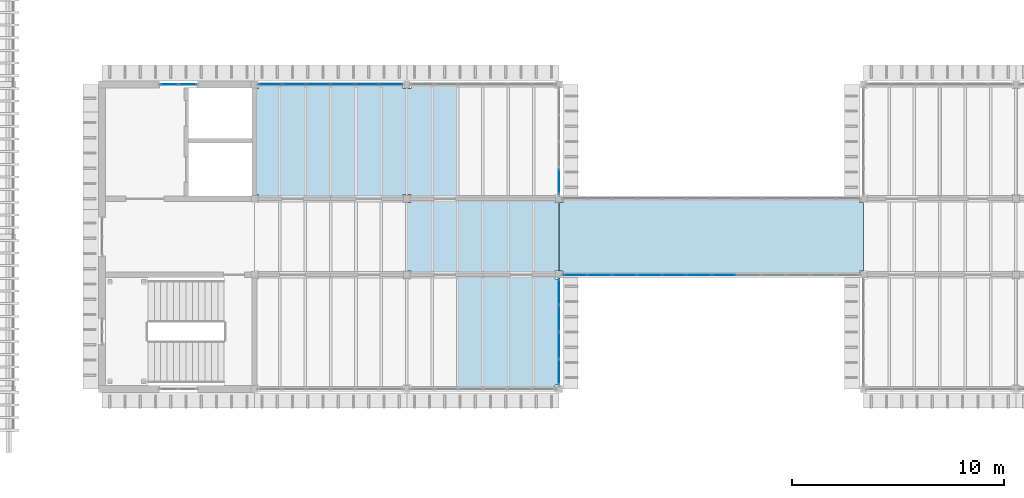
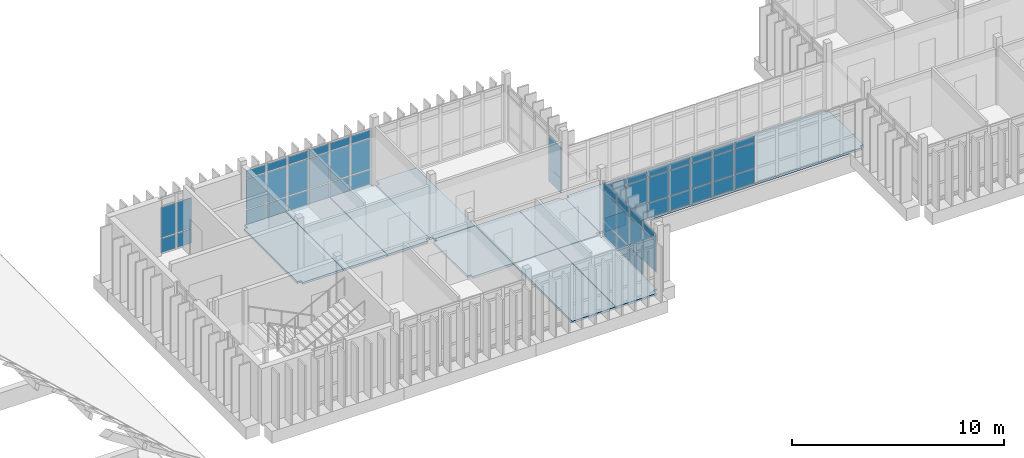
# One storey, part 32 of 71: 56 plates, 10 slabs, 5 elements without a shape of their own.
"""IFC4 building model written with IfcOpenShell, lengths in metres."""

from ifc_helpers import new_model, si_unit, direction, frame, origin, origin_2d, place, context, subcontext, project, spatial, polyline, rectangle, outline, extrude, material, layer, layer_set, type_object, element, aggregate, save


model = new_model("IFC4")

# Units and contexts
model_context = context("Model", 3, precision=1e-05, world=origin(), true_north=direction((0.0, 1.0)))
body_context = subcontext(model_context, "Body", "Model", "MODEL_VIEW")
ifc_project = project(units=[si_unit("LENGTHUNIT", "METRE"), si_unit("AREAUNIT", "SQUARE_METRE"), si_unit("VOLUMEUNIT", "CUBIC_METRE"), si_unit("PLANEANGLEUNIT", "RADIAN"), si_unit("MASSUNIT", "GRAM", prefix="KILO")], contexts=[model_context])

# Site, building, storey
site_placement = place(None, origin())
site = spatial("IfcSite", under=ifc_project, at=site_placement, CompositionType="ELEMENT")
building_placement = place(site_placement, origin())
building = spatial("IfcBuilding", under=site, at=building_placement, Name="Mazhai Court Health Centre", CompositionType="ELEMENT")
storey_placement = place(building_placement, frame((0.0, 0.0, 10.199951171875)))
storey = spatial("IfcBuildingStorey", under=building, at=storey_placement, Name="L02", CompositionType="ELEMENT", Elevation=10.199951171875)

# Slabs
ifc_material_1 = material(Name="CLT C24 5-ply", Category="wood")
ifc_layer_1 = layer(ifc_material_1, 0.1201171875)
ifc_layer_set_1 = layer_set([ifc_layer_1], Name="CLT C24 5-ply 120 floor panel")
slab_type = type_object("IfcSlabType", Name="CLT C24 5-ply 120 floor panel", PredefinedType="FLOOR", material=ifc_layer_set_1)
slab_1_placement = place(storey_placement, frame((0.0, 0.0, -0.119873046875)))
element("IfcSlab", 1, at=slab_1_placement, inside=storey, type_object=slab_type, Name="slab-V4-L02-b1-B0", PredefinedType="FLOOR", context=body_context, shape_type="SweptSolid", body=[
    extrude(outline(polyline([(80.590087890625, 27.919921875), (78.389892578125, 27.919921875), (78.389892578125, 27.610107421875), (78.199951171875, 27.610107421875), (78.199951171875, 22.590087890625), (78.389892578125, 22.590087890625), (78.389892578125, 22.409912109375), (80.590087890625, 22.409912109375), (80.590087890625, 27.919921875)])), origin(), (0.0, 0.0, 1.0), 0.119873046875),
])
slab_2_placement = place(storey_placement, frame((0.0, 0.0, -0.119873046875)))
element("IfcSlab", 2, at=slab_2_placement, inside=storey, type_object=slab_type, Name="slab-V4-L02-b1-B1", PredefinedType="FLOOR", context=body_context, shape_type="SweptSolid", body=[
    extrude(outline(polyline([(80.610107421875, 22.409912109375), (82.989990234375, 22.409912109375), (82.989990234375, 27.919921875), (80.610107421875, 27.919921875), (80.610107421875, 22.409912109375)])), origin(), (0.0, 0.0, 1.0), 0.119873046875),
])
slab_3_placement = place(storey_placement, frame((0.0, 0.0, -0.119873046875)))
element("IfcSlab", 3, at=slab_3_placement, inside=storey, type_object=slab_type, Name="slab-V4-L02-b1-B2", PredefinedType="FLOOR", context=body_context, shape_type="SweptSolid", body=[
    extrude(outline(polyline([(85.39990234375, 22.590087890625), (85.39990234375, 27.610107421875), (85.2099609375, 27.610107421875), (85.2099609375, 27.919921875), (83.010009765625, 27.919921875), (83.010009765625, 22.409912109375), (85.2099609375, 22.409912109375), (85.2099609375, 22.590087890625), (85.39990234375, 22.590087890625)])), origin(), (0.0, 0.0, 1.0), 0.119873046875),
])
slab_4_placement = place(storey_placement, frame((0.0, 0.0, -0.119873046875)))
element("IfcSlab", 4, at=slab_4_placement, inside=storey, type_object=slab_type, Name="slab-V4-L02-b2-A1", PredefinedType="FLOOR", context=body_context, shape_type="SweptSolid", body=[
    extrude(outline(polyline([(87.81005859375, 13.280029296875), (90.18994140625, 13.280029296875), (90.18994140625, 18.7900390625), (87.81005859375, 18.7900390625), (87.81005859375, 13.280029296875)])), origin(), (0.0, 0.0, 1.0), 0.119873046875),
])
slab_5_placement = place(storey_placement, frame((0.0, 0.0, -0.119873046875)))
element("IfcSlab", 5, at=slab_5_placement, inside=storey, type_object=slab_type, Name="slab-V4-L02-b2-A2", PredefinedType="FLOOR", context=body_context, shape_type="SweptSolid", body=[
    extrude(outline(polyline([(92.60009765625, 13.590087890625), (92.60009765625, 18.610107421875), (92.409912109375, 18.610107421875), (92.409912109375, 18.7900390625), (90.2099609375, 18.7900390625), (90.2099609375, 13.280029296875), (92.409912109375, 13.280029296875), (92.409912109375, 13.590087890625), (92.60009765625, 13.590087890625)])), origin(), (0.0, 0.0, 1.0), 0.119873046875),
])
slab_6_placement = place(storey_placement, frame((0.0, 0.0, -0.119873046875)))
element("IfcSlab", 6, at=slab_6_placement, inside=storey, type_object=slab_type, Name="slab-V4-L02-b2-C0", PredefinedType="FLOOR", context=body_context, shape_type="SweptSolid", body=[
    extrude(outline(polyline([(87.7900390625, 22.389892578125), (85.590087890625, 22.389892578125), (85.590087890625, 22.2099609375), (85.39990234375, 22.2099609375), (85.39990234375, 18.989990234375), (85.590087890625, 18.989990234375), (85.590087890625, 18.81005859375), (87.7900390625, 18.81005859375), (87.7900390625, 22.389892578125)])), origin(), (0.0, 0.0, 1.0), 0.119873046875),
])
slab_7_placement = place(storey_placement, frame((0.0, 0.0, -0.119873046875)))
element("IfcSlab", 7, at=slab_7_placement, inside=storey, type_object=slab_type, Name="slab-V4-L02-b2-C1", PredefinedType="FLOOR", context=body_context, shape_type="SweptSolid", body=[
    extrude(outline(polyline([(87.81005859375, 18.81005859375), (90.18994140625, 18.81005859375), (90.18994140625, 22.389892578125), (87.81005859375, 22.389892578125), (87.81005859375, 18.81005859375)])), origin(), (0.0, 0.0, 1.0), 0.119873046875),
])
slab_8_placement = place(storey_placement, frame((0.0, 0.0, -0.119873046875)))
element("IfcSlab", 8, at=slab_8_placement, inside=storey, type_object=slab_type, Name="slab-V4-L02-b2-C2", PredefinedType="FLOOR", context=body_context, shape_type="SweptSolid", body=[
    extrude(outline(polyline([(92.60009765625, 18.989990234375), (92.60009765625, 22.2099609375), (92.409912109375, 22.2099609375), (92.409912109375, 22.389892578125), (90.2099609375, 22.389892578125), (90.2099609375, 18.81005859375), (92.409912109375, 18.81005859375), (92.409912109375, 18.989990234375), (92.60009765625, 18.989990234375)])), origin(), (0.0, 0.0, 1.0), 0.119873046875),
])
slab_9_placement = place(storey_placement, frame((0.0, 0.0, -0.119873046875)))
element("IfcSlab", 9, at=slab_9_placement, inside=storey, type_object=slab_type, Name="slab-V4-L02-b2-B0", PredefinedType="FLOOR", context=body_context, shape_type="SweptSolid", body=[
    extrude(outline(polyline([(87.7900390625, 27.919921875), (85.590087890625, 27.919921875), (85.590087890625, 27.610107421875), (85.39990234375, 27.610107421875), (85.39990234375, 22.590087890625), (85.590087890625, 22.590087890625), (85.590087890625, 22.409912109375), (87.7900390625, 22.409912109375), (87.7900390625, 27.919921875)])), origin(), (0.0, 0.0, 1.0), 0.119873046875),
])
slab_10_placement = place(storey_placement, frame((0.0, 0.0, -0.119873046875)))
element("IfcSlab", 10, at=slab_10_placement, inside=storey, type_object=slab_type, Name="slab-BR-LC2", PredefinedType="FLOOR", context=body_context, shape_type="SweptSolid", body=[
    extrude(outline(polyline([(106.989990234375, 18.989990234375), (106.989990234375, 22.2099609375), (106.81005859375, 22.2099609375), (106.81005859375, 22.3798828125), (92.7900390625, 22.3798828125), (92.7900390625, 22.2099609375), (92.610107421875, 22.2099609375), (92.610107421875, 18.989990234375), (92.7900390625, 18.989990234375), (92.7900390625, 18.820068359375), (106.81005859375, 18.820068359375), (106.81005859375, 18.989990234375), (106.989990234375, 18.989990234375)])), origin(), (0.0, 0.0, 1.0), 0.119873046875),
])

# Curtain wall, plates
ifc_material_2 = material(Name="Teak timber frame, glazed", Category="wood")
ifc_layer_2 = layer(ifc_material_2, 0.10009765625)
ifc_layer_set_2 = layer_set([ifc_layer_2], Name="CURTAIN WALL TIMBER 900")
curtain_wall_type_1 = type_object("IfcCurtainWallType", Name="CURTAIN WALL TIMBER 900", PredefinedType="NOTDEFINED", material=ifc_layer_set_2)
curtain_wall_1_placement = place(storey_placement, origin())
curtain_wall_1 = element("IfcCurtainWall", 11, at=curtain_wall_1_placement, inside=storey, type_object=curtain_wall_type_1, Name="CW-V4-L02-B0", PredefinedType="NOTDEFINED")
ifc_material_3 = material(Name="Glass IGU 28 mm", Category="glass")
ifc_layer_3 = layer(ifc_material_3, 0.028076171875)
ifc_layer_set_3 = layer_set([ifc_layer_3], Name="CW PANEL IGU 28")
plate_type = type_object("IfcPlateType", Name="CW PANEL IGU 28", PredefinedType="CURTAIN_PANEL", material=ifc_layer_set_3)
plate_1_placement = place(storey_placement, frame((74.1650390625, 27.800048828125, 0.06005859375), z_axis=(0.0, 0.0, 1.0), x_axis=(1.0, 0.0, 0.0)))
plate_1 = element("IfcPlate", 12, at=plate_1_placement, type_object=plate_type, Name="CW panel 1.1", PredefinedType="CURTAIN_PANEL", context=body_context, shape_type="SweptSolid", body=[
    extrude(rectangle(XDim=0.81005859375, YDim=0.028076171875, at=origin_2d()), origin(), (0.0, 0.0, 1.0), 0.81005859375),
])
plate_2_placement = place(storey_placement, frame((74.1650390625, 27.800048828125, 0.93017578125), z_axis=(0.0, 0.0, 1.0), x_axis=(1.0, 0.0, 0.0)))
plate_2 = element("IfcPlate", 13, at=plate_2_placement, type_object=plate_type, Name="CW panel 1.2", PredefinedType="CURTAIN_PANEL", context=body_context, shape_type="SweptSolid", body=[
    extrude(rectangle(XDim=0.81005859375, YDim=0.028076171875, at=origin_2d()), origin(), (0.0, 0.0, 1.0), 1.739990234375),
])
plate_3_placement = place(storey_placement, frame((75.034912109375, 27.800048828125, 0.06005859375), z_axis=(0.0, 0.0, 1.0), x_axis=(1.0, 0.0, 0.0)))
plate_3 = element("IfcPlate", 14, at=plate_3_placement, type_object=plate_type, Name="CW panel 2.1", PredefinedType="CURTAIN_PANEL", context=body_context, shape_type="SweptSolid", body=[
    extrude(rectangle(XDim=0.81005859375, YDim=0.028076171875, at=origin_2d()), origin(), (0.0, 0.0, 1.0), 0.81005859375),
])
plate_4_placement = place(storey_placement, frame((75.034912109375, 27.800048828125, 0.93017578125), z_axis=(0.0, 0.0, 1.0), x_axis=(1.0, 0.0, 0.0)))
plate_4 = element("IfcPlate", 15, at=plate_4_placement, type_object=plate_type, Name="CW panel 2.2", PredefinedType="CURTAIN_PANEL", context=body_context, shape_type="SweptSolid", body=[
    extrude(rectangle(XDim=0.81005859375, YDim=0.028076171875, at=origin_2d()), origin(), (0.0, 0.0, 1.0), 1.739990234375),
])
aggregate(curtain_wall_1, [plate_1, plate_2, plate_3, plate_4])

ifc_material_4 = material(Name="Teak timber frame, glazed", Category="wood")
ifc_layer_4 = layer(ifc_material_4, 0.10009765625)
ifc_layer_set_4 = layer_set([ifc_layer_4], Name="CURTAIN WALL TIMBER 1200")
curtain_wall_type_2 = type_object("IfcCurtainWallType", Name="CURTAIN WALL TIMBER 1200", PredefinedType="NOTDEFINED", material=ifc_layer_set_4)
curtain_wall_2_placement = place(storey_placement, origin())
curtain_wall_2 = element("IfcCurtainWall", 16, at=curtain_wall_2_placement, inside=storey, type_object=curtain_wall_type_2, Name="CW-V4-L02-B1", PredefinedType="NOTDEFINED")
plate_5_placement = place(storey_placement, frame((78.9482421875, 27.800048828125, 0.06005859375), z_axis=(0.0, 0.0, 1.0), x_axis=(1.0, 0.0, 0.0)))
plate_5 = element("IfcPlate", 17, at=plate_5_placement, type_object=plate_type, Name="CW panel 1.1", PredefinedType="CURTAIN_PANEL", context=body_context, shape_type="SweptSolid", body=[
    extrude(rectangle(XDim=1.056640625, YDim=0.028076171875, at=origin_2d()), origin(), (0.0, 0.0, 1.0), 0.81005859375),
])
plate_6_placement = place(storey_placement, frame((78.9482421875, 27.800048828125, 0.93017578125), z_axis=(0.0, 0.0, 1.0), x_axis=(1.0, 0.0, 0.0)))
plate_6 = element("IfcPlate", 18, at=plate_6_placement, type_object=plate_type, Name="CW panel 1.2", PredefinedType="CURTAIN_PANEL", context=body_context, shape_type="SweptSolid", body=[
    extrude(rectangle(XDim=1.056640625, YDim=0.028076171875, at=origin_2d()), origin(), (0.0, 0.0, 1.0), 1.739990234375),
])
plate_7_placement = place(storey_placement, frame((78.9482421875, 27.800048828125, 2.72998046875), z_axis=(0.0, 0.0, 1.0), x_axis=(1.0, 0.0, 0.0)))
plate_7 = element("IfcPlate", 19, at=plate_7_placement, type_object=plate_type, Name="CW panel 1.3", PredefinedType="CURTAIN_PANEL", context=body_context, shape_type="SweptSolid", body=[
    extrude(rectangle(XDim=1.056640625, YDim=0.028076171875, at=origin_2d()), origin(), (0.0, 0.0, 1.0), 0.429931640625),
])
plate_8_placement = place(storey_placement, frame((80.080078125, 27.800048828125, 0.06005859375), z_axis=(0.0, 0.0, 1.0), x_axis=(1.0, 0.0, 0.0)))
plate_8 = element("IfcPlate", 20, at=plate_8_placement, type_object=plate_type, Name="CW panel 2.1", PredefinedType="CURTAIN_PANEL", context=body_context, shape_type="SweptSolid", body=[
    extrude(rectangle(XDim=1.086669921875, YDim=0.028076171875, at=origin_2d()), origin(), (0.0, 0.0, 1.0), 0.81005859375),
])
plate_9_placement = place(storey_placement, frame((80.080078125, 27.800048828125, 0.93017578125), z_axis=(0.0, 0.0, 1.0), x_axis=(1.0, 0.0, 0.0)))
plate_9 = element("IfcPlate", 21, at=plate_9_placement, type_object=plate_type, Name="CW panel 2.2", PredefinedType="CURTAIN_PANEL", context=body_context, shape_type="SweptSolid", body=[
    extrude(rectangle(XDim=1.086669921875, YDim=0.028076171875, at=origin_2d()), origin(), (0.0, 0.0, 1.0), 1.739990234375),
])
plate_10_placement = place(storey_placement, frame((80.080078125, 27.800048828125, 2.72998046875), z_axis=(0.0, 0.0, 1.0), x_axis=(1.0, 0.0, 0.0)))
plate_10 = element("IfcPlate", 22, at=plate_10_placement, type_object=plate_type, Name="CW panel 2.3", PredefinedType="CURTAIN_PANEL", context=body_context, shape_type="SweptSolid", body=[
    extrude(rectangle(XDim=1.086669921875, YDim=0.028076171875, at=origin_2d()), origin(), (0.0, 0.0, 1.0), 0.429931640625),
])
plate_11_placement = place(storey_placement, frame((81.2265625, 27.800048828125, 0.06005859375), z_axis=(0.0, 0.0, 1.0), x_axis=(1.0, 0.0, 0.0)))
plate_11 = element("IfcPlate", 23, at=plate_11_placement, type_object=plate_type, Name="CW panel 3.1", PredefinedType="CURTAIN_PANEL", context=body_context, shape_type="SweptSolid", body=[
    extrude(rectangle(XDim=1.086669921875, YDim=0.028076171875, at=origin_2d()), origin(), (0.0, 0.0, 1.0), 0.81005859375),
])
plate_12_placement = place(storey_placement, frame((81.2265625, 27.800048828125, 0.93017578125), z_axis=(0.0, 0.0, 1.0), x_axis=(1.0, 0.0, 0.0)))
plate_12 = element("IfcPlate", 24, at=plate_12_placement, type_object=plate_type, Name="CW panel 3.2", PredefinedType="CURTAIN_PANEL", context=body_context, shape_type="SweptSolid", body=[
    extrude(rectangle(XDim=1.086669921875, YDim=0.028076171875, at=origin_2d()), origin(), (0.0, 0.0, 1.0), 1.739990234375),
])
plate_13_placement = place(storey_placement, frame((81.2265625, 27.800048828125, 2.72998046875), z_axis=(0.0, 0.0, 1.0), x_axis=(1.0, 0.0, 0.0)))
plate_13 = element("IfcPlate", 25, at=plate_13_placement, type_object=plate_type, Name="CW panel 3.3", PredefinedType="CURTAIN_PANEL", context=body_context, shape_type="SweptSolid", body=[
    extrude(rectangle(XDim=1.086669921875, YDim=0.028076171875, at=origin_2d()), origin(), (0.0, 0.0, 1.0), 0.429931640625),
])
plate_14_placement = place(storey_placement, frame((82.373291015625, 27.800048828125, 0.06005859375), z_axis=(0.0, 0.0, 1.0), x_axis=(1.0, 0.0, 0.0)))
plate_14 = element("IfcPlate", 26, at=plate_14_placement, type_object=plate_type, Name="CW panel 4.1", PredefinedType="CURTAIN_PANEL", context=body_context, shape_type="SweptSolid", body=[
    extrude(rectangle(XDim=1.086669921875, YDim=0.028076171875, at=origin_2d()), origin(), (0.0, 0.0, 1.0), 0.81005859375),
])
plate_15_placement = place(storey_placement, frame((82.373291015625, 27.800048828125, 0.93017578125), z_axis=(0.0, 0.0, 1.0), x_axis=(1.0, 0.0, 0.0)))
plate_15 = element("IfcPlate", 27, at=plate_15_placement, type_object=plate_type, Name="CW panel 4.2", PredefinedType="CURTAIN_PANEL", context=body_context, shape_type="SweptSolid", body=[
    extrude(rectangle(XDim=1.086669921875, YDim=0.028076171875, at=origin_2d()), origin(), (0.0, 0.0, 1.0), 1.739990234375),
])
plate_16_placement = place(storey_placement, frame((82.373291015625, 27.800048828125, 2.72998046875), z_axis=(0.0, 0.0, 1.0), x_axis=(1.0, 0.0, 0.0)))
plate_16 = element("IfcPlate", 28, at=plate_16_placement, type_object=plate_type, Name="CW panel 4.3", PredefinedType="CURTAIN_PANEL", context=body_context, shape_type="SweptSolid", body=[
    extrude(rectangle(XDim=1.086669921875, YDim=0.028076171875, at=origin_2d()), origin(), (0.0, 0.0, 1.0), 0.429931640625),
])
plate_17_placement = place(storey_placement, frame((83.52001953125, 27.800048828125, 0.06005859375), z_axis=(0.0, 0.0, 1.0), x_axis=(1.0, 0.0, 0.0)))
plate_17 = element("IfcPlate", 29, at=plate_17_placement, type_object=plate_type, Name="CW panel 5.1", PredefinedType="CURTAIN_PANEL", context=body_context, shape_type="SweptSolid", body=[
    extrude(rectangle(XDim=1.086669921875, YDim=0.028076171875, at=origin_2d()), origin(), (0.0, 0.0, 1.0), 0.81005859375),
])
plate_18_placement = place(storey_placement, frame((83.52001953125, 27.800048828125, 0.93017578125), z_axis=(0.0, 0.0, 1.0), x_axis=(1.0, 0.0, 0.0)))
plate_18 = element("IfcPlate", 30, at=plate_18_placement, type_object=plate_type, Name="CW panel 5.2", PredefinedType="CURTAIN_PANEL", context=body_context, shape_type="SweptSolid", body=[
    extrude(rectangle(XDim=1.086669921875, YDim=0.028076171875, at=origin_2d()), origin(), (0.0, 0.0, 1.0), 1.739990234375),
])
plate_19_placement = place(storey_placement, frame((83.52001953125, 27.800048828125, 2.72998046875), z_axis=(0.0, 0.0, 1.0), x_axis=(1.0, 0.0, 0.0)))
plate_19 = element("IfcPlate", 31, at=plate_19_placement, type_object=plate_type, Name="CW panel 5.3", PredefinedType="CURTAIN_PANEL", context=body_context, shape_type="SweptSolid", body=[
    extrude(rectangle(XDim=1.086669921875, YDim=0.028076171875, at=origin_2d()), origin(), (0.0, 0.0, 1.0), 0.429931640625),
])
plate_20_placement = place(storey_placement, frame((84.651611328125, 27.800048828125, 0.06005859375), z_axis=(0.0, 0.0, 1.0), x_axis=(1.0, 0.0, 0.0)))
plate_20 = element("IfcPlate", 32, at=plate_20_placement, type_object=plate_type, Name="CW panel 6.1", PredefinedType="CURTAIN_PANEL", context=body_context, shape_type="SweptSolid", body=[
    extrude(rectangle(XDim=1.056640625, YDim=0.028076171875, at=origin_2d()), origin(), (0.0, 0.0, 1.0), 0.81005859375),
])
plate_21_placement = place(storey_placement, frame((84.651611328125, 27.800048828125, 0.93017578125), z_axis=(0.0, 0.0, 1.0), x_axis=(1.0, 0.0, 0.0)))
plate_21 = element("IfcPlate", 33, at=plate_21_placement, type_object=plate_type, Name="CW panel 6.2", PredefinedType="CURTAIN_PANEL", context=body_context, shape_type="SweptSolid", body=[
    extrude(rectangle(XDim=1.056640625, YDim=0.028076171875, at=origin_2d()), origin(), (0.0, 0.0, 1.0), 1.739990234375),
])
plate_22_placement = place(storey_placement, frame((84.651611328125, 27.800048828125, 2.72998046875), z_axis=(0.0, 0.0, 1.0), x_axis=(1.0, 0.0, 0.0)))
plate_22 = element("IfcPlate", 34, at=plate_22_placement, type_object=plate_type, Name="CW panel 6.3", PredefinedType="CURTAIN_PANEL", context=body_context, shape_type="SweptSolid", body=[
    extrude(rectangle(XDim=1.056640625, YDim=0.028076171875, at=origin_2d()), origin(), (0.0, 0.0, 1.0), 0.429931640625),
])
aggregate(curtain_wall_2, [plate_5, plate_6, plate_7, plate_8, plate_9, plate_10, plate_11, plate_12, plate_13, plate_14, plate_15, plate_16, plate_17, plate_18, plate_19, plate_20, plate_21, plate_22])

curtain_wall_3_placement = place(storey_placement, origin())
curtain_wall_3 = element("IfcCurtainWall", 35, at=curtain_wall_3_placement, inside=storey, type_object=curtain_wall_type_2, Name="CW-V4-L02-CE2-0", PredefinedType="NOTDEFINED")
plate_23_placement = place(storey_placement, frame((92.60009765625, 17.989990234375, 0.06005859375), z_axis=(0.0, 0.0, 1.0), x_axis=(0.0, -1.0, 0.0)))
plate_23 = element("IfcPlate", 36, at=plate_23_placement, type_object=plate_type, Name="CW panel 1.1", PredefinedType="CURTAIN_PANEL", context=body_context, shape_type="SweptSolid", body=[
    extrude(rectangle(XDim=1.179931640625, YDim=0.028076171875, at=origin_2d()), origin(), (0.0, 0.0, 1.0), 0.81005859375),
])
plate_24_placement = place(storey_placement, frame((92.60009765625, 17.989990234375, 0.93017578125), z_axis=(0.0, 0.0, 1.0), x_axis=(0.0, -1.0, 0.0)))
plate_24 = element("IfcPlate", 37, at=plate_24_placement, type_object=plate_type, Name="CW panel 1.2", PredefinedType="CURTAIN_PANEL", context=body_context, shape_type="SweptSolid", body=[
    extrude(rectangle(XDim=1.179931640625, YDim=0.028076171875, at=origin_2d()), origin(), (0.0, 0.0, 1.0), 1.739990234375),
])
plate_25_placement = place(storey_placement, frame((92.60009765625, 17.989990234375, 2.72998046875), z_axis=(0.0, 0.0, 1.0), x_axis=(0.0, -1.0, 0.0)))
plate_25 = element("IfcPlate", 38, at=plate_25_placement, type_object=plate_type, Name="CW panel 1.3", PredefinedType="CURTAIN_PANEL", context=body_context, shape_type="SweptSolid", body=[
    extrude(rectangle(XDim=1.179931640625, YDim=0.028076171875, at=origin_2d()), origin(), (0.0, 0.0, 1.0), 0.409912109375),
])
plate_26_placement = place(storey_placement, frame((92.60009765625, 16.735107421875, 0.06005859375), z_axis=(0.0, 0.0, 1.0), x_axis=(0.0, -1.0, 0.0)))
plate_26 = element("IfcPlate", 39, at=plate_26_placement, type_object=plate_type, Name="CW panel 2.1", PredefinedType="CURTAIN_PANEL", context=body_context, shape_type="SweptSolid", body=[
    extrude(rectangle(XDim=1.2099609375, YDim=0.028076171875, at=origin_2d()), origin(), (0.0, 0.0, 1.0), 0.81005859375),
])
plate_27_placement = place(storey_placement, frame((92.60009765625, 16.735107421875, 0.93017578125), z_axis=(0.0, 0.0, 1.0), x_axis=(0.0, -1.0, 0.0)))
plate_27 = element("IfcPlate", 40, at=plate_27_placement, type_object=plate_type, Name="CW panel 2.2", PredefinedType="CURTAIN_PANEL", context=body_context, shape_type="SweptSolid", body=[
    extrude(rectangle(XDim=1.2099609375, YDim=0.028076171875, at=origin_2d()), origin(), (0.0, 0.0, 1.0), 1.739990234375),
])
plate_28_placement = place(storey_placement, frame((92.60009765625, 16.735107421875, 2.72998046875), z_axis=(0.0, 0.0, 1.0), x_axis=(0.0, -1.0, 0.0)))
plate_28 = element("IfcPlate", 41, at=plate_28_placement, type_object=plate_type, Name="CW panel 2.3", PredefinedType="CURTAIN_PANEL", context=body_context, shape_type="SweptSolid", body=[
    extrude(rectangle(XDim=1.2099609375, YDim=0.028076171875, at=origin_2d()), origin(), (0.0, 0.0, 1.0), 0.409912109375),
])
plate_29_placement = place(storey_placement, frame((92.60009765625, 15.465087890625, 0.06005859375), z_axis=(0.0, 0.0, 1.0), x_axis=(0.0, -1.0, 0.0)))
plate_29 = element("IfcPlate", 42, at=plate_29_placement, type_object=plate_type, Name="CW panel 3.1", PredefinedType="CURTAIN_PANEL", context=body_context, shape_type="SweptSolid", body=[
    extrude(rectangle(XDim=1.2099609375, YDim=0.028076171875, at=origin_2d()), origin(), (0.0, 0.0, 1.0), 0.81005859375),
])
plate_30_placement = place(storey_placement, frame((92.60009765625, 15.465087890625, 0.93017578125), z_axis=(0.0, 0.0, 1.0), x_axis=(0.0, -1.0, 0.0)))
plate_30 = element("IfcPlate", 43, at=plate_30_placement, type_object=plate_type, Name="CW panel 3.2", PredefinedType="CURTAIN_PANEL", context=body_context, shape_type="SweptSolid", body=[
    extrude(rectangle(XDim=1.2099609375, YDim=0.028076171875, at=origin_2d()), origin(), (0.0, 0.0, 1.0), 1.739990234375),
])
plate_31_placement = place(storey_placement, frame((92.60009765625, 15.465087890625, 2.72998046875), z_axis=(0.0, 0.0, 1.0), x_axis=(0.0, -1.0, 0.0)))
plate_31 = element("IfcPlate", 44, at=plate_31_placement, type_object=plate_type, Name="CW panel 3.3", PredefinedType="CURTAIN_PANEL", context=body_context, shape_type="SweptSolid", body=[
    extrude(rectangle(XDim=1.2099609375, YDim=0.028076171875, at=origin_2d()), origin(), (0.0, 0.0, 1.0), 0.409912109375),
])
plate_32_placement = place(storey_placement, frame((92.60009765625, 14.2099609375, 0.93017578125), z_axis=(0.0, 0.0, 1.0), x_axis=(0.0, -1.0, 0.0)))
plate_32 = element("IfcPlate", 45, at=plate_32_placement, type_object=plate_type, Name="CW panel 4.2", PredefinedType="CURTAIN_PANEL", context=body_context, shape_type="SweptSolid", body=[
    extrude(rectangle(XDim=1.179931640625, YDim=0.028076171875, at=origin_2d()), origin(), (0.0, 0.0, 1.0), 1.739990234375),
])
plate_33_placement = place(storey_placement, frame((92.60009765625, 14.2099609375, 2.72998046875), z_axis=(0.0, 0.0, 1.0), x_axis=(0.0, -1.0, 0.0)))
plate_33 = element("IfcPlate", 46, at=plate_33_placement, type_object=plate_type, Name="CW panel 4.3", PredefinedType="CURTAIN_PANEL", context=body_context, shape_type="SweptSolid", body=[
    extrude(rectangle(XDim=1.179931640625, YDim=0.028076171875, at=origin_2d()), origin(), (0.0, 0.0, 1.0), 0.409912109375),
])
aggregate(curtain_wall_3, [plate_23, plate_24, plate_25, plate_26, plate_27, plate_28, plate_29, plate_30, plate_31, plate_32, plate_33])

curtain_wall_4_placement = place(storey_placement, origin())
curtain_wall_4 = element("IfcCurtainWall", 47, at=curtain_wall_4_placement, inside=storey, type_object=curtain_wall_type_2, Name="CW-V4-L02-CE2-1", PredefinedType="NOTDEFINED")
plate_34_placement = place(storey_placement, frame((92.60009765625, 23.2099609375, 0.06005859375), z_axis=(0.0, 0.0, 1.0), x_axis=(0.0, -1.0, 0.0)))
plate_34 = element("IfcPlate", 48, at=plate_34_placement, type_object=plate_type, Name="CW panel 4.1", PredefinedType="CURTAIN_PANEL", context=body_context, shape_type="SweptSolid", body=[
    extrude(rectangle(XDim=1.179931640625, YDim=0.028076171875, at=origin_2d()), origin(), (0.0, 0.0, 1.0), 0.81005859375),
])
plate_35_placement = place(storey_placement, frame((92.60009765625, 23.2099609375, 0.93017578125), z_axis=(0.0, 0.0, 1.0), x_axis=(0.0, -1.0, 0.0)))
plate_35 = element("IfcPlate", 49, at=plate_35_placement, type_object=plate_type, Name="CW panel 4.2", PredefinedType="CURTAIN_PANEL", context=body_context, shape_type="SweptSolid", body=[
    extrude(rectangle(XDim=1.179931640625, YDim=0.028076171875, at=origin_2d()), origin(), (0.0, 0.0, 1.0), 1.739990234375),
])
aggregate(curtain_wall_4, [plate_34, plate_35])

curtain_wall_5_placement = place(storey_placement, origin())
curtain_wall_5 = element("IfcCurtainWall", 50, at=curtain_wall_5_placement, inside=storey, type_object=curtain_wall_type_2, Name="CW-BR-LC2-S", PredefinedType="NOTDEFINED")
plate_36_placement = place(storey_placement, frame((93.361572265625, 18.800048828125, 0.06005859375), z_axis=(0.0, 0.0, 1.0), x_axis=(1.0, 0.0, 0.0)))
plate_36 = element("IfcPlate", 51, at=plate_36_placement, type_object=plate_type, Name="CW panel 1.1", PredefinedType="CURTAIN_PANEL", context=body_context, shape_type="SweptSolid", body=[
    extrude(rectangle(XDim=1.083251953125, YDim=0.028076171875, at=origin_2d()), origin(), (0.0, 0.0, 1.0), 0.81005859375),
])
plate_37_placement = place(storey_placement, frame((93.361572265625, 18.800048828125, 0.93017578125), z_axis=(0.0, 0.0, 1.0), x_axis=(1.0, 0.0, 0.0)))
plate_37 = element("IfcPlate", 52, at=plate_37_placement, type_object=plate_type, Name="CW panel 1.2", PredefinedType="CURTAIN_PANEL", context=body_context, shape_type="SweptSolid", body=[
    extrude(rectangle(XDim=1.083251953125, YDim=0.028076171875, at=origin_2d()), origin(), (0.0, 0.0, 1.0), 1.419921875),
])
plate_38_placement = place(storey_placement, frame((93.361572265625, 18.800048828125, 2.409912109375), z_axis=(0.0, 0.0, 1.0), x_axis=(1.0, 0.0, 0.0)))
plate_38 = element("IfcPlate", 53, at=plate_38_placement, type_object=plate_type, Name="CW panel 1.3", PredefinedType="CURTAIN_PANEL", context=body_context, shape_type="SweptSolid", body=[
    extrude(rectangle(XDim=1.083251953125, YDim=0.028076171875, at=origin_2d()), origin(), (0.0, 0.0, 1.0), 0.31005859375),
])
plate_39_placement = place(storey_placement, frame((94.52001953125, 18.800048828125, 0.06005859375), z_axis=(0.0, 0.0, 1.0), x_axis=(1.0, 0.0, 0.0)))
plate_39 = element("IfcPlate", 54, at=plate_39_placement, type_object=plate_type, Name="CW panel 2.1", PredefinedType="CURTAIN_PANEL", context=body_context, shape_type="SweptSolid", body=[
    extrude(rectangle(XDim=1.11328125, YDim=0.028076171875, at=origin_2d()), origin(), (0.0, 0.0, 1.0), 0.81005859375),
])
plate_40_placement = place(storey_placement, frame((94.52001953125, 18.800048828125, 0.93017578125), z_axis=(0.0, 0.0, 1.0), x_axis=(1.0, 0.0, 0.0)))
plate_40 = element("IfcPlate", 55, at=plate_40_placement, type_object=plate_type, Name="CW panel 2.2", PredefinedType="CURTAIN_PANEL", context=body_context, shape_type="SweptSolid", body=[
    extrude(rectangle(XDim=1.11328125, YDim=0.028076171875, at=origin_2d()), origin(), (0.0, 0.0, 1.0), 1.419921875),
])
plate_41_placement = place(storey_placement, frame((94.52001953125, 18.800048828125, 2.409912109375), z_axis=(0.0, 0.0, 1.0), x_axis=(1.0, 0.0, 0.0)))
plate_41 = element("IfcPlate", 56, at=plate_41_placement, type_object=plate_type, Name="CW panel 2.3", PredefinedType="CURTAIN_PANEL", context=body_context, shape_type="SweptSolid", body=[
    extrude(rectangle(XDim=1.11328125, YDim=0.028076171875, at=origin_2d()), origin(), (0.0, 0.0, 1.0), 0.31005859375),
])
plate_42_placement = place(storey_placement, frame((95.693359375, 18.800048828125, 0.06005859375), z_axis=(0.0, 0.0, 1.0), x_axis=(1.0, 0.0, 0.0)))
plate_42 = element("IfcPlate", 57, at=plate_42_placement, type_object=plate_type, Name="CW panel 3.1", PredefinedType="CURTAIN_PANEL", context=body_context, shape_type="SweptSolid", body=[
    extrude(rectangle(XDim=1.11328125, YDim=0.028076171875, at=origin_2d()), origin(), (0.0, 0.0, 1.0), 0.81005859375),
])
plate_43_placement = place(storey_placement, frame((95.693359375, 18.800048828125, 0.93017578125), z_axis=(0.0, 0.0, 1.0), x_axis=(1.0, 0.0, 0.0)))
plate_43 = element("IfcPlate", 58, at=plate_43_placement, type_object=plate_type, Name="CW panel 3.2", PredefinedType="CURTAIN_PANEL", context=body_context, shape_type="SweptSolid", body=[
    extrude(rectangle(XDim=1.11328125, YDim=0.028076171875, at=origin_2d()), origin(), (0.0, 0.0, 1.0), 1.419921875),
])
plate_44_placement = place(storey_placement, frame((95.693359375, 18.800048828125, 2.409912109375), z_axis=(0.0, 0.0, 1.0), x_axis=(1.0, 0.0, 0.0)))
plate_44 = element("IfcPlate", 59, at=plate_44_placement, type_object=plate_type, Name="CW panel 3.3", PredefinedType="CURTAIN_PANEL", context=body_context, shape_type="SweptSolid", body=[
    extrude(rectangle(XDim=1.11328125, YDim=0.028076171875, at=origin_2d()), origin(), (0.0, 0.0, 1.0), 0.31005859375),
])
plate_45_placement = place(storey_placement, frame((96.86669921875, 18.800048828125, 0.06005859375), z_axis=(0.0, 0.0, 1.0), x_axis=(1.0, 0.0, 0.0)))
plate_45 = element("IfcPlate", 60, at=plate_45_placement, type_object=plate_type, Name="CW panel 4.1", PredefinedType="CURTAIN_PANEL", context=body_context, shape_type="SweptSolid", body=[
    extrude(rectangle(XDim=1.11328125, YDim=0.028076171875, at=origin_2d()), origin(), (0.0, 0.0, 1.0), 0.81005859375),
])
plate_46_placement = place(storey_placement, frame((96.86669921875, 18.800048828125, 0.93017578125), z_axis=(0.0, 0.0, 1.0), x_axis=(1.0, 0.0, 0.0)))
plate_46 = element("IfcPlate", 61, at=plate_46_placement, type_object=plate_type, Name="CW panel 4.2", PredefinedType="CURTAIN_PANEL", context=body_context, shape_type="SweptSolid", body=[
    extrude(rectangle(XDim=1.11328125, YDim=0.028076171875, at=origin_2d()), origin(), (0.0, 0.0, 1.0), 1.419921875),
])
plate_47_placement = place(storey_placement, frame((96.86669921875, 18.800048828125, 2.409912109375), z_axis=(0.0, 0.0, 1.0), x_axis=(1.0, 0.0, 0.0)))
plate_47 = element("IfcPlate", 62, at=plate_47_placement, type_object=plate_type, Name="CW panel 4.3", PredefinedType="CURTAIN_PANEL", context=body_context, shape_type="SweptSolid", body=[
    extrude(rectangle(XDim=1.11328125, YDim=0.028076171875, at=origin_2d()), origin(), (0.0, 0.0, 1.0), 0.31005859375),
])
plate_48_placement = place(storey_placement, frame((98.0400390625, 18.800048828125, 0.06005859375), z_axis=(0.0, 0.0, 1.0), x_axis=(1.0, 0.0, 0.0)))
plate_48 = element("IfcPlate", 63, at=plate_48_placement, type_object=plate_type, Name="CW panel 5.1", PredefinedType="CURTAIN_PANEL", context=body_context, shape_type="SweptSolid", body=[
    extrude(rectangle(XDim=1.11328125, YDim=0.028076171875, at=origin_2d()), origin(), (0.0, 0.0, 1.0), 0.81005859375),
])
plate_49_placement = place(storey_placement, frame((98.0400390625, 18.800048828125, 0.93017578125), z_axis=(0.0, 0.0, 1.0), x_axis=(1.0, 0.0, 0.0)))
plate_49 = element("IfcPlate", 64, at=plate_49_placement, type_object=plate_type, Name="CW panel 5.2", PredefinedType="CURTAIN_PANEL", context=body_context, shape_type="SweptSolid", body=[
    extrude(rectangle(XDim=1.11328125, YDim=0.028076171875, at=origin_2d()), origin(), (0.0, 0.0, 1.0), 1.419921875),
])
plate_50_placement = place(storey_placement, frame((98.0400390625, 18.800048828125, 2.409912109375), z_axis=(0.0, 0.0, 1.0), x_axis=(1.0, 0.0, 0.0)))
plate_50 = element("IfcPlate", 65, at=plate_50_placement, type_object=plate_type, Name="CW panel 5.3", PredefinedType="CURTAIN_PANEL", context=body_context, shape_type="SweptSolid", body=[
    extrude(rectangle(XDim=1.11328125, YDim=0.028076171875, at=origin_2d()), origin(), (0.0, 0.0, 1.0), 0.31005859375),
])
plate_51_placement = place(storey_placement, frame((99.21337890625, 18.800048828125, 0.06005859375), z_axis=(0.0, 0.0, 1.0), x_axis=(1.0, 0.0, 0.0)))
plate_51 = element("IfcPlate", 66, at=plate_51_placement, type_object=plate_type, Name="CW panel 6.1", PredefinedType="CURTAIN_PANEL", context=body_context, shape_type="SweptSolid", body=[
    extrude(rectangle(XDim=1.11328125, YDim=0.028076171875, at=origin_2d()), origin(), (0.0, 0.0, 1.0), 0.81005859375),
])
plate_52_placement = place(storey_placement, frame((99.21337890625, 18.800048828125, 0.93017578125), z_axis=(0.0, 0.0, 1.0), x_axis=(1.0, 0.0, 0.0)))
plate_52 = element("IfcPlate", 67, at=plate_52_placement, type_object=plate_type, Name="CW panel 6.2", PredefinedType="CURTAIN_PANEL", context=body_context, shape_type="SweptSolid", body=[
    extrude(rectangle(XDim=1.11328125, YDim=0.028076171875, at=origin_2d()), origin(), (0.0, 0.0, 1.0), 1.419921875),
])
plate_53_placement = place(storey_placement, frame((99.21337890625, 18.800048828125, 2.409912109375), z_axis=(0.0, 0.0, 1.0), x_axis=(1.0, 0.0, 0.0)))
plate_53 = element("IfcPlate", 68, at=plate_53_placement, type_object=plate_type, Name="CW panel 6.3", PredefinedType="CURTAIN_PANEL", context=body_context, shape_type="SweptSolid", body=[
    extrude(rectangle(XDim=1.11328125, YDim=0.028076171875, at=origin_2d()), origin(), (0.0, 0.0, 1.0), 0.31005859375),
])
plate_54_placement = place(storey_placement, frame((100.38671875, 18.800048828125, 0.06005859375), z_axis=(0.0, 0.0, 1.0), x_axis=(1.0, 0.0, 0.0)))
plate_54 = element("IfcPlate", 69, at=plate_54_placement, type_object=plate_type, Name="CW panel 7.1", PredefinedType="CURTAIN_PANEL", context=body_context, shape_type="SweptSolid", body=[
    extrude(rectangle(XDim=1.11328125, YDim=0.028076171875, at=origin_2d()), origin(), (0.0, 0.0, 1.0), 0.81005859375),
])
plate_55_placement = place(storey_placement, frame((100.38671875, 18.800048828125, 0.93017578125), z_axis=(0.0, 0.0, 1.0), x_axis=(1.0, 0.0, 0.0)))
plate_55 = element("IfcPlate", 70, at=plate_55_placement, type_object=plate_type, Name="CW panel 7.2", PredefinedType="CURTAIN_PANEL", context=body_context, shape_type="SweptSolid", body=[
    extrude(rectangle(XDim=1.11328125, YDim=0.028076171875, at=origin_2d()), origin(), (0.0, 0.0, 1.0), 1.419921875),
])
plate_56_placement = place(storey_placement, frame((100.38671875, 18.800048828125, 2.409912109375), z_axis=(0.0, 0.0, 1.0), x_axis=(1.0, 0.0, 0.0)))
plate_56 = element("IfcPlate", 71, at=plate_56_placement, type_object=plate_type, Name="CW panel 7.3", PredefinedType="CURTAIN_PANEL", context=body_context, shape_type="SweptSolid", body=[
    extrude(rectangle(XDim=1.11328125, YDim=0.028076171875, at=origin_2d()), origin(), (0.0, 0.0, 1.0), 0.31005859375),
])
aggregate(curtain_wall_5, [plate_36, plate_37, plate_38, plate_39, plate_40, plate_41, plate_42, plate_43, plate_44, plate_45, plate_46, plate_47, plate_48, plate_49, plate_50, plate_51, plate_52, plate_53, plate_54, plate_55, plate_56])

save(model, "model.ifc")
